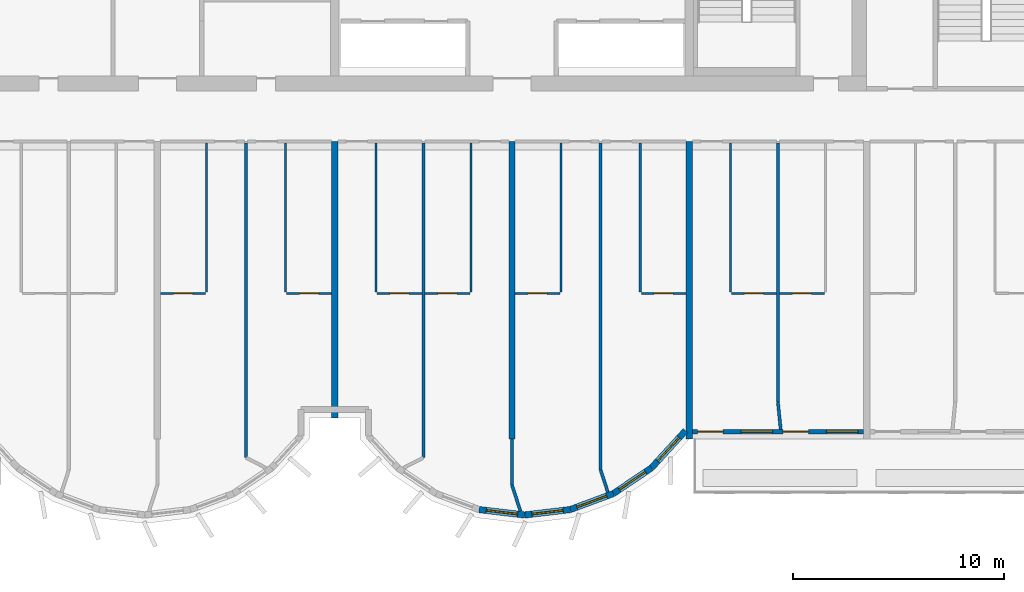
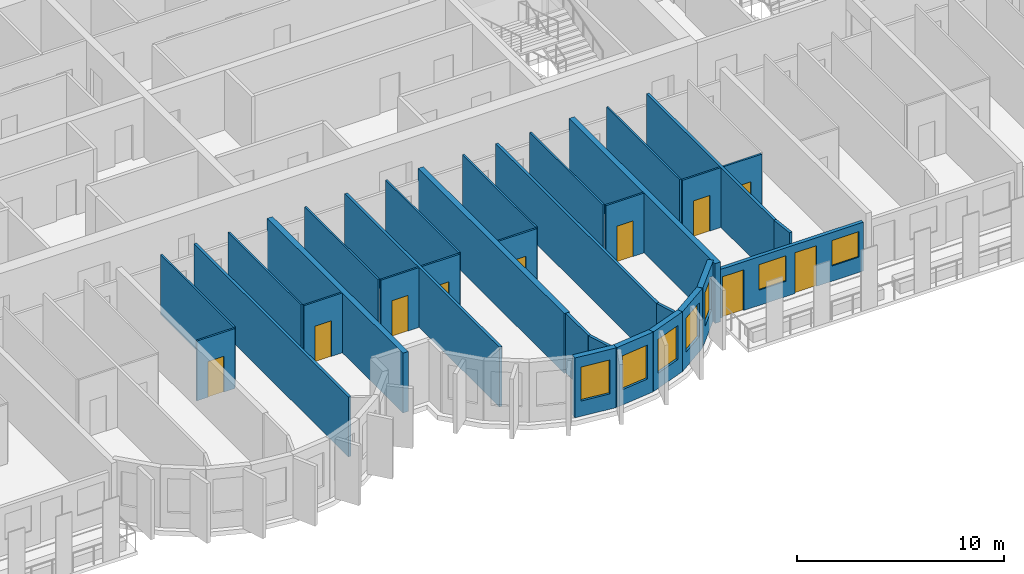
# One storey, part 5 of 13: 32 walls, 10 doors, 7 windows, 17 openings.
"""IFC4 building model written with IfcOpenShell, lengths in metres."""

from ifc_helpers import new_model, si_unit, direction, frame, frame_2d, origin, place, context, subcontext, project, spatial, rectangle, extrude, source, transform, mapped, material, layer, layer_set, type_object, element, fill, save


model = new_model("IFC4")

# Units and contexts
model_context = context("Model", 3, precision=1e-05, world=origin(), true_north=direction((0.0, 1.0)))
body_context = subcontext(model_context, "Body", "Model", "MODEL_VIEW")
ifc_project = project(units=[si_unit("LENGTHUNIT", "METRE"), si_unit("AREAUNIT", "SQUARE_METRE"), si_unit("VOLUMEUNIT", "CUBIC_METRE"), si_unit("PLANEANGLEUNIT", "RADIAN"), si_unit("MASSUNIT", "GRAM", prefix="KILO")], contexts=[model_context])

# Site, building, storey
site_placement = place(None, origin())
site = spatial("IfcSite", under=ifc_project, at=site_placement, CompositionType="ELEMENT")
building_placement = place(site_placement, origin())
building = spatial("IfcBuilding", under=site, at=building_placement, Name="Vanashikhar Sky Hotel", CompositionType="ELEMENT")
storey_placement = place(building_placement, frame((0.0, 0.0, 182.0)))
storey = spatial("IfcBuildingStorey", under=building, at=storey_placement, Name="L44", CompositionType="ELEMENT", Elevation=182.0)

# Walls
ifc_material_1 = material(Name="Concrete M60", Category="concrete")
ifc_layer_1 = layer(ifc_material_1, 0.300048828125)
ifc_layer_set_1 = layer_set([ifc_layer_1], Name="RC shear wall 300 Concrete M60")
wall_type_1 = type_object("IfcWallType", Name="RC shear wall 300 Concrete M60", PredefinedType="SHEAR", material=ifc_layer_set_1)
shared_shape_1 = source(origin(), body_context, "Body", "SweptSolid", [
    extrude(rectangle(XDim=14.10009765625, YDim=0.300048828125, at=frame_2d((7.050048828125, 0.0))), origin(), (0.0, 0.0, 1.0), 3.52001953125),
])
for number, where, z_axis, x_axis, name in (
    (1, (58.800048828125, 5.5, 0.0), (0.0, 0.0, 1.0), (0.0, 1.0, 0.0), "CW-L44-XW08-1"),
    (2, (67.199951171875, 5.5, 0.0), (0.0, 0.0, 1.0), (0.0, 1.0, 0.0), "CW-L44-XW09-1"),
):
    element("IfcWall", number, at=place(storey_placement, frame(where, z_axis=z_axis, x_axis=x_axis)), inside=storey, type_object=wall_type_1, Name=name, PredefinedType="SHEAR", context=body_context, shape_type="MappedRepresentation", body=[
        mapped(shared_shape_1, transform((0.0, 0.0, 0.0), scale=1.0)),
    ])
shared_shape_2 = source(origin(), body_context, "Body", "SweptSolid", [
    extrude(rectangle(XDim=13.10009765625, YDim=0.300048828125, at=frame_2d((6.550048828125, 0.0))), origin(), (0.0, 0.0, 1.0), 3.52001953125),
])
wall_1_placement = place(storey_placement, frame((50.39990234375, 6.5, 0.0), z_axis=(0.0, 0.0, 1.0), x_axis=(0.0, 1.0, 0.0)))
element("IfcWall", 3, at=wall_1_placement, inside=storey, type_object=wall_type_1, Name="CW-L44-XW07-1", PredefinedType="SHEAR", context=body_context, shape_type="MappedRepresentation", body=[
    mapped(shared_shape_2, transform((0.0, 0.0, 0.0), scale=1.0)),
])

# Wall, opening, window
ifc_material_2 = material(Name="Concrete M50", Category="concrete")
ifc_layer_2 = layer(ifc_material_2, 0.300048828125)
ifc_layer_set_2 = layer_set([ifc_layer_2], Name="Lobe wall 300")
wall_type_2 = type_object("IfcWallType", Name="Lobe wall 300", PredefinedType="SOLIDWALL", material=ifc_layer_set_2)
shared_shape_3 = source(origin(), body_context, "Body", "SweptSolid", [
    extrude(rectangle(XDim=2.398193359375, YDim=0.300048828125, at=frame_2d((1.19921875, 0.0))), origin(), (0.0, 0.0, 1.0), 3.52001953125),
])
wall_2_placement = place(storey_placement, frame((65.404296875, 4.13134765625, 0.0), z_axis=(0.0, 0.0, 1.0), x_axis=(0.675374189419, 0.737475222815, 0.0)))
wall_2 = element("IfcWall", 4, at=wall_2_placement, inside=storey, type_object=wall_type_2, Name="Lobe wall", PredefinedType="SOLIDWALL", context=body_context, shape_type="MappedRepresentation", body=[
    mapped(shared_shape_3, transform((0.0, 0.0, 0.0), scale=1.0)),
])
shared_shape_4 = source(origin(), body_context, "Body", "SweptSolid", [
    extrude(rectangle(XDim=1.5, YDim=2.0, at=frame_2d((0.75, 1.0))), frame((0.0, 0.16015625, 0.0), z_axis=(0.0, -1.0, 0.0), x_axis=(1.0, 0.0, 0.0)), (0.0, 0.0, 1.0), 0.320068359375),
])
opening_1_placement = place(wall_2_placement, frame((0.44921875, 0.0, 0.89990234375)))
opening_1 = element("IfcOpeningElement", 5, at=opening_1_placement, cuts=wall_2, Name="Opening WN-2", PredefinedType="OPENING", context=body_context, shape_type="MappedRepresentation", body=[
    mapped(shared_shape_4, transform((0.0, 0.0, 0.0), scale=1.0)),
])
ifc_material_3 = material(Name="Glass", Category="glass")
window_type_1 = type_object("IfcWindowType", Name="Lobe window 1500 x 2000", PartitioningType="SINGLE_PANEL", PredefinedType="WINDOW", material=ifc_material_3)
shared_shape_5 = source(origin(), body_context, "Body", "SweptSolid", [
    extrude(rectangle(XDim=1.5, YDim=2.0, at=frame_2d((0.75, 1.0))), frame((0.0, 0.030029296875, 0.0), z_axis=(0.0, -1.0, 0.0), x_axis=(1.0, 0.0, 0.0)), (0.0, 0.0, 1.0), 0.06005859375),
])
window_1_placement = place(opening_1_placement, origin())
window_1 = element("IfcWindow", 6, at=window_1_placement, inside=storey, type_object=window_type_1, Name="Window WN-2", OverallHeight=2.0, OverallWidth=1.5, PartitioningType="SINGLE_PANEL", PredefinedType="WINDOW", context=body_context, shape_type="MappedRepresentation", body=[
    mapped(shared_shape_5, transform((0.0, 0.0, 0.0), scale=1.0)),
])
fill(opening_1, window_1)

shared_shape_6 = source(origin(), body_context, "Body", "SweptSolid", [
    extrude(rectangle(XDim=2.17578125, YDim=0.300048828125, at=frame_2d((1.087890625, 0.0))), origin(), (0.0, 0.0, 1.0), 3.52001953125),
])
wall_3_placement = place(storey_placement, frame((63.59912109375, 2.91650390625, 0.0), z_axis=(0.0, 0.0, 1.0), x_axis=(0.829625727223, 0.558319937607, 0.0)))
wall_3 = element("IfcWall", 7, at=wall_3_placement, inside=storey, type_object=wall_type_2, Name="Lobe wall", PredefinedType="SOLIDWALL", context=body_context, shape_type="MappedRepresentation", body=[
    mapped(shared_shape_6, transform((0.0, 0.0, 0.0), scale=1.0)),
])
opening_2_placement = place(wall_3_placement, frame((0.337890625, 0.0, 0.89990234375)))
opening_2 = element("IfcOpeningElement", 8, at=opening_2_placement, cuts=wall_3, Name="Opening WN-2", PredefinedType="OPENING", context=body_context, shape_type="MappedRepresentation", body=[
    mapped(shared_shape_4, transform((0.0, 0.0, 0.0), scale=1.0)),
])
window_2_placement = place(opening_2_placement, origin())
window_2 = element("IfcWindow", 9, at=window_2_placement, inside=storey, type_object=window_type_1, Name="Window WN-2", OverallHeight=2.0, OverallWidth=1.5, PartitioningType="SINGLE_PANEL", PredefinedType="WINDOW", context=body_context, shape_type="MappedRepresentation", body=[
    mapped(shared_shape_5, transform((0.0, 0.0, 0.0), scale=1.0)),
])
fill(opening_2, window_2)

shared_shape_7 = source(origin(), body_context, "Body", "SweptSolid", [
    extrude(rectangle(XDim=2.174560546875, YDim=0.300048828125, at=frame_2d((1.08740234375, 0.0))), origin(), (0.0, 0.0, 1.0), 3.52001953125),
])
wall_4_placement = place(storey_placement, frame((57.240478515625, 2.15966796875, 0.0), z_axis=(0.0, 0.0, 1.0), x_axis=(0.993001132889, -0.118104826659, 0.0)))
wall_4 = element("IfcWall", 10, at=wall_4_placement, inside=storey, type_object=wall_type_2, Name="Lobe wall", PredefinedType="SOLIDWALL", context=body_context, shape_type="MappedRepresentation", body=[
    mapped(shared_shape_7, transform((0.0, 0.0, 0.0), scale=1.0)),
])
opening_3_placement = place(wall_4_placement, frame((0.33740234375, 0.0, 0.89990234375)))
opening_3 = element("IfcOpeningElement", 11, at=opening_3_placement, cuts=wall_4, Name="Opening WN-2", PredefinedType="OPENING", context=body_context, shape_type="MappedRepresentation", body=[
    mapped(shared_shape_4, transform((0.0, 0.0, 0.0), scale=1.0)),
])
window_3_placement = place(opening_3_placement, origin())
window_3 = element("IfcWindow", 12, at=window_3_placement, inside=storey, type_object=window_type_1, Name="Window WN-2", OverallHeight=2.0, OverallWidth=1.5, PartitioningType="SINGLE_PANEL", PredefinedType="WINDOW", context=body_context, shape_type="MappedRepresentation", body=[
    mapped(shared_shape_5, transform((0.0, 0.0, 0.0), scale=1.0)),
])
fill(opening_3, window_3)

shared_shape_8 = source(origin(), body_context, "Body", "SweptSolid", [
    extrude(rectangle(XDim=2.1748046875, YDim=0.300048828125, at=frame_2d((1.08740234375, 0.0))), origin(), (0.0, 0.0, 1.0), 3.52001953125),
])
wall_5_placement = place(storey_placement, frame((59.39990234375, 1.90283203125, 0.0), z_axis=(0.0, 0.0, 1.0), x_axis=(0.993002698611, 0.118091661648, 0.0)))
wall_5 = element("IfcWall", 13, at=wall_5_placement, inside=storey, type_object=wall_type_2, Name="Lobe wall", PredefinedType="SOLIDWALL", context=body_context, shape_type="MappedRepresentation", body=[
    mapped(shared_shape_8, transform((0.0, 0.0, 0.0), scale=1.0)),
])
opening_4_placement = place(wall_5_placement, frame((0.33740234375, 0.0, 0.89990234375)))
opening_4 = element("IfcOpeningElement", 14, at=opening_4_placement, cuts=wall_5, Name="Opening WN-2", PredefinedType="OPENING", context=body_context, shape_type="MappedRepresentation", body=[
    mapped(shared_shape_4, transform((0.0, 0.0, 0.0), scale=1.0)),
])
window_4_placement = place(opening_4_placement, origin())
window_4 = element("IfcWindow", 15, at=window_4_placement, inside=storey, type_object=window_type_1, Name="Window WN-2", OverallHeight=2.0, OverallWidth=1.5, PartitioningType="SINGLE_PANEL", PredefinedType="WINDOW", context=body_context, shape_type="MappedRepresentation", body=[
    mapped(shared_shape_5, transform((0.0, 0.0, 0.0), scale=1.0)),
])
fill(opening_4, window_4)

shared_shape_9 = source(origin(), body_context, "Body", "SweptSolid", [
    extrude(rectangle(XDim=2.175537109375, YDim=0.300048828125, at=frame_2d((1.087890625, 0.0))), origin(), (0.0, 0.0, 1.0), 3.52001953125),
])
wall_6_placement = place(storey_placement, frame((61.5595703125, 2.15966796875, 0.0), z_axis=(0.0, 0.0, 1.0), x_axis=(0.937531979054, 0.347899106424, 0.0)))
wall_6 = element("IfcWall", 16, at=wall_6_placement, inside=storey, type_object=wall_type_2, Name="Lobe wall", PredefinedType="SOLIDWALL", context=body_context, shape_type="MappedRepresentation", body=[
    mapped(shared_shape_9, transform((0.0, 0.0, 0.0), scale=1.0)),
])
opening_5_placement = place(wall_6_placement, frame((0.337890625, 0.0, 0.89990234375)))
opening_5 = element("IfcOpeningElement", 17, at=opening_5_placement, cuts=wall_6, Name="Opening WN-2", PredefinedType="OPENING", context=body_context, shape_type="MappedRepresentation", body=[
    mapped(shared_shape_4, transform((0.0, 0.0, 0.0), scale=1.0)),
])
window_5_placement = place(opening_5_placement, origin())
window_5 = element("IfcWindow", 18, at=window_5_placement, inside=storey, type_object=window_type_1, Name="Window WN-2", OverallHeight=2.0, OverallWidth=1.5, PartitioningType="SINGLE_PANEL", PredefinedType="WINDOW", context=body_context, shape_type="MappedRepresentation", body=[
    mapped(shared_shape_5, transform((0.0, 0.0, 0.0), scale=1.0)),
])
fill(opening_5, window_5)

# Wall, openings, windows, doors
ifc_layer_3 = layer(ifc_material_2, 0.199951171875)
ifc_layer_set_3 = layer_set([ifc_layer_3], Name="Front window wall 200")
wall_type_3 = type_object("IfcWallType", Name="Front window wall 200", PredefinedType="SOLIDWALL", material=ifc_layer_set_3)
shared_shape_10 = source(origin(), body_context, "Body", "SweptSolid", [
    extrude(rectangle(XDim=8.099853515625, YDim=0.199951171875, at=frame_2d((4.0498046875, 0.0))), origin(), (0.0, 0.0, 1.0), 2.8701171875),
])
wall_7_placement = place(storey_placement, frame((67.35009765625, 5.85009765625, 0.0), z_axis=(0.0, 0.0, 1.0), x_axis=(1.0, 0.0, 0.0)))
wall_7 = element("IfcWall", 19, at=wall_7_placement, inside=storey, type_object=wall_type_3, Name="Front window wall", PredefinedType="SOLIDWALL", context=body_context, shape_type="MappedRepresentation", body=[
    mapped(shared_shape_10, transform((0.0, 0.0, 0.0), scale=1.0)),
])
shared_shape_11 = source(origin(), body_context, "Body", "SweptSolid", [
    extrude(rectangle(XDim=1.199951171875, YDim=2.39990234375, at=frame_2d((0.60009765625, 1.199951171875))), frame((0.0, 0.10986328125, 0.0), z_axis=(0.0, -1.0, 0.0), x_axis=(1.0, 0.0, 0.0)), (0.0, 0.0, 1.0), 0.219970703125),
])
opening_6_placement = place(wall_7_placement, frame((0.25, 0.0, 0.0)))
opening_6 = element("IfcOpeningElement", 20, at=opening_6_placement, cuts=wall_7, Name="Opening BD-06", PredefinedType="OPENING", context=body_context, shape_type="MappedRepresentation", body=[
    mapped(shared_shape_11, transform((0.0, 0.0, 0.0), scale=1.0)),
])
shared_shape_12 = source(origin(), body_context, "Body", "SweptSolid", [
    extrude(rectangle(XDim=1.5, YDim=1.5, at=frame_2d((0.75, 0.75))), frame((0.0, 0.10986328125, 0.0), z_axis=(0.0, -1.0, 0.0), x_axis=(1.0, 0.0, 0.0)), (0.0, 0.0, 1.0), 0.219970703125),
])
opening_7_placement = place(wall_7_placement, frame((2.300048828125, 0.0, 0.89990234375)))
opening_7 = element("IfcOpeningElement", 21, at=opening_7_placement, cuts=wall_7, Name="Opening WN-1", PredefinedType="OPENING", context=body_context, shape_type="MappedRepresentation", body=[
    mapped(shared_shape_12, transform((0.0, 0.0, 0.0), scale=1.0)),
])
opening_8_placement = place(wall_7_placement, frame((4.300048828125, 0.0, 0.0)))
opening_8 = element("IfcOpeningElement", 22, at=opening_8_placement, cuts=wall_7, Name="Opening BD-07", PredefinedType="OPENING", context=body_context, shape_type="MappedRepresentation", body=[
    mapped(shared_shape_11, transform((0.0, 0.0, 0.0), scale=1.0)),
])
opening_9_placement = place(wall_7_placement, frame((6.35009765625, 0.0, 0.89990234375)))
opening_9 = element("IfcOpeningElement", 23, at=opening_9_placement, cuts=wall_7, Name="Opening WN-1", PredefinedType="OPENING", context=body_context, shape_type="MappedRepresentation", body=[
    mapped(shared_shape_12, transform((0.0, 0.0, 0.0), scale=1.0)),
])
window_type_2 = type_object("IfcWindowType", Name="Window 1500 x 1500", PartitioningType="SINGLE_PANEL", PredefinedType="WINDOW", material=ifc_material_3)
shared_shape_13 = source(origin(), body_context, "Body", "SweptSolid", [
    extrude(rectangle(XDim=1.5, YDim=1.5, at=frame_2d((0.75, 0.75))), frame((0.0, 0.030029296875, 0.0), z_axis=(0.0, -1.0, 0.0), x_axis=(1.0, 0.0, 0.0)), (0.0, 0.0, 1.0), 0.06005859375),
])
window_6_placement = place(opening_7_placement, origin())
window_6 = element("IfcWindow", 24, at=window_6_placement, inside=storey, type_object=window_type_2, Name="Window WN-1", OverallHeight=1.5, OverallWidth=1.5, PartitioningType="SINGLE_PANEL", PredefinedType="WINDOW", context=body_context, shape_type="MappedRepresentation", body=[
    mapped(shared_shape_13, transform((0.0, 0.0, 0.0), scale=1.0)),
])
fill(opening_7, window_6)
window_7_placement = place(opening_9_placement, origin())
window_7 = element("IfcWindow", 25, at=window_7_placement, inside=storey, type_object=window_type_2, Name="Window WN-1", OverallHeight=1.5, OverallWidth=1.5, PartitioningType="SINGLE_PANEL", PredefinedType="WINDOW", context=body_context, shape_type="MappedRepresentation", body=[
    mapped(shared_shape_13, transform((0.0, 0.0, 0.0), scale=1.0)),
])
fill(opening_9, window_7)
ifc_material_4 = material(Name="Aluminium", Category="aluminium")
door_type_1 = type_object("IfcDoorType", Name="Balcony sliding door 1200 x 2400", OperationType="NOTDEFINED", PredefinedType="DOOR", material=ifc_material_4)
shared_shape_14 = source(origin(), body_context, "Body", "SweptSolid", [
    extrude(rectangle(XDim=1.199951171875, YDim=2.39990234375, at=frame_2d((0.60009765625, 1.199951171875))), frame((0.0, 0.02490234375, 0.0), z_axis=(0.0, -1.0, 0.0), x_axis=(1.0, 0.0, 0.0)), (0.0, 0.0, 1.0), 0.050048828125),
])
door_1_placement = place(opening_6_placement, origin())
door_1 = element("IfcDoor", 26, at=door_1_placement, inside=storey, type_object=door_type_1, Name="Balcony sliding door", OperationType="SLIDING_TO_RIGHT", OverallHeight=2.39990234375, OverallWidth=1.199951171875, PredefinedType="DOOR", context=body_context, shape_type="MappedRepresentation", body=[
    mapped(shared_shape_14, transform((0.0, 0.0, 0.0), scale=1.0)),
])
fill(opening_6, door_1)
door_2_placement = place(opening_8_placement, origin())
door_2 = element("IfcDoor", 27, at=door_2_placement, inside=storey, type_object=door_type_1, Name="Balcony sliding door", OperationType="SLIDING_TO_LEFT", OverallHeight=2.39990234375, OverallWidth=1.199951171875, PredefinedType="DOOR", context=body_context, shape_type="MappedRepresentation", body=[
    mapped(shared_shape_14, transform((0.0, 0.0, 0.0), scale=1.0)),
])
fill(opening_8, door_2)

# Walls
ifc_material_5 = material(Name="Gypsum plasterboard partition")
ifc_layer_4 = layer(ifc_material_5, 0.10009765625)
ifc_layer_set_4 = layer_set([ifc_layer_4], Name="Wet room partition 100")
wall_type_4 = type_object("IfcWallType", Name="Wet room partition 100", PredefinedType="PARTITIONING", material=ifc_layer_set_4)
shared_shape_15 = source(origin(), body_context, "Body", "SweptSolid", [
    extrude(rectangle(XDim=7.0498046875, YDim=0.10009765625, at=frame_2d((3.52490234375, 0.0))), origin(), (0.0, 0.0, 1.0), 3.52001953125),
])
for number, where, z_axis, x_axis, name in (
    (28, (44.324951171875, 12.47509765625, 0.0), (0.0, 0.0, 1.0), (0.0, 1.0, 0.0), "W-L44-PW027"),
    (29, (48.074951171875, 12.47509765625, 0.0), (0.0, 0.0, 1.0), (0.0, 1.0, 0.0), "W-L44-PW030"),
    (30, (52.35009765625, 12.47509765625, 0.0), (0.0, 0.0, 1.0), (0.0, 1.0, 0.0), "W-L44-PW034"),
    (31, (56.85009765625, 12.47509765625, 0.0), (0.0, 0.0, 1.0), (0.0, 1.0, 0.0), "W-L44-PW037"),
    (32, (61.125, 12.47509765625, 0.0), (0.0, 0.0, 1.0), (0.0, 1.0, 0.0), "W-L44-PW041"),
    (33, (64.875, 12.47509765625, 0.0), (0.0, 0.0, 1.0), (0.0, 1.0, 0.0), "W-L44-PW044"),
    (34, (69.14990234375, 12.47509765625, 0.0), (0.0, 0.0, 1.0), (0.0, 1.0, 0.0), "W-L44-PW048"),
):
    element("IfcWall", number, at=place(storey_placement, frame(where, z_axis=z_axis, x_axis=x_axis)), inside=storey, type_object=wall_type_4, Name=name, PredefinedType="PARTITIONING", context=body_context, shape_type="MappedRepresentation", body=[
        mapped(shared_shape_15, transform((0.0, 0.0, 0.0), scale=1.0)),
    ])
ifc_layer_5 = layer(ifc_material_5, 0.14990234375)
ifc_layer_set_5 = layer_set([ifc_layer_5], Name="Corridor and demising partition 150")
wall_type_5 = type_object("IfcWallType", Name="Corridor and demising partition 150", PredefinedType="PARTITIONING", material=ifc_layer_set_5)
shared_shape_16 = source(origin(), body_context, "Body", "SweptSolid", [
    extrude(rectangle(XDim=2.177978515625, YDim=0.14990234375, at=frame_2d((1.0888671875, 0.0))), origin(), (0.0, 0.0, 1.0), 3.52001953125),
])
wall_8_placement = place(storey_placement, frame((58.800048828125, 3.322021484375, 0.0), z_axis=(0.0, 0.0, 1.0), x_axis=(0.0, 1.0, 0.0)))
element("IfcWall", 35, at=wall_8_placement, inside=storey, type_object=wall_type_5, Name="W-L44-PW070", PredefinedType="PARTITIONING", context=body_context, shape_type="MappedRepresentation", body=[
    mapped(shared_shape_16, transform((0.0, 0.0, 0.0), scale=1.0)),
])
shared_shape_17 = source(origin(), body_context, "Body", "SweptSolid", [
    extrude(rectangle(XDim=1.100830078125, YDim=0.14990234375, at=frame_2d((0.55029296875, 0.0))), origin(), (0.0, 0.0, 1.0), 3.52001953125),
])
wall_9_placement = place(storey_placement, frame((63.343017578125, 2.98095703125, 0.0), z_axis=(0.0, 0.0, 1.0), x_axis=(-0.311567081539, 0.950224159712, 0.0)))
element("IfcWall", 36, at=wall_9_placement, inside=storey, type_object=wall_type_5, Name="W-L44-PW047B0", PredefinedType="PARTITIONING", context=body_context, shape_type="MappedRepresentation", body=[
    mapped(shared_shape_17, transform((0.0, 0.0, 0.0), scale=1.0)),
])
shared_shape_18 = source(origin(), body_context, "Body", "SweptSolid", [
    extrude(rectangle(XDim=1.308349609375, YDim=0.14990234375, at=frame_2d((0.654296875, 0.0))), origin(), (0.0, 0.0, 1.0), 3.52001953125),
])
wall_10_placement = place(storey_placement, frame((59.201904296875, 2.076904296875, 0.0), z_axis=(0.0, 0.0, 1.0), x_axis=(-0.307144529633, 0.951662880392, 0.0)))
element("IfcWall", 37, at=wall_10_placement, inside=storey, type_object=wall_type_5, Name="W-L44-PW070B0", PredefinedType="PARTITIONING", context=body_context, shape_type="MappedRepresentation", body=[
    mapped(shared_shape_18, transform((0.0, 0.0, 0.0), scale=1.0)),
])
shared_shape_19 = source(origin(), body_context, "Body", "SweptSolid", [
    extrude(rectangle(XDim=12.27490234375, YDim=0.14990234375, at=frame_2d((6.137451171875, 0.0))), origin(), (0.0, 0.0, 1.0), 3.52001953125),
])
wall_11_placement = place(storey_placement, frame((71.39990234375, 7.25, 0.0), z_axis=(0.0, 0.0, 1.0), x_axis=(0.0, 1.0, 0.0)))
element("IfcWall", 38, at=wall_11_placement, inside=storey, type_object=wall_type_5, Name="W-L44-PW054", PredefinedType="PARTITIONING", context=body_context, shape_type="MappedRepresentation", body=[
    mapped(shared_shape_19, transform((0.0, 0.0, 0.0), scale=1.0)),
])
shared_shape_20 = source(origin(), body_context, "Body", "SweptSolid", [
    extrude(rectangle(XDim=15.497802734375, YDim=0.14990234375, at=frame_2d((7.7490234375, 0.0))), origin(), (0.0, 0.0, 1.0), 3.52001953125),
])
wall_12_placement = place(storey_placement, frame((63.0, 4.027099609375, 0.0), z_axis=(0.0, 0.0, 1.0), x_axis=(0.0, 1.0, 0.0)))
element("IfcWall", 39, at=wall_12_placement, inside=storey, type_object=wall_type_5, Name="W-L44-PW047", PredefinedType="PARTITIONING", context=body_context, shape_type="MappedRepresentation", body=[
    mapped(shared_shape_20, transform((0.0, 0.0, 0.0), scale=1.0)),
])
shared_shape_21 = source(origin(), body_context, "Body", "SweptSolid", [
    extrude(rectangle(XDim=14.906005859375, YDim=0.14990234375, at=frame_2d((7.453125, 0.0))), origin(), (0.0, 0.0, 1.0), 3.52001953125),
])
for number, where, z_axis, x_axis, name in (
    (40, (46.199951171875, 4.618896484375, 0.0), (0.0, 0.0, 1.0), (0.0, 1.0, 0.0), "W-L44-PW033"),
    (41, (54.60009765625, 4.618896484375, 0.0), (0.0, 0.0, 1.0), (0.0, 1.0, 0.0), "W-L44-PW040"),
):
    element("IfcWall", number, at=place(storey_placement, frame(where, z_axis=z_axis, x_axis=x_axis)), inside=storey, type_object=wall_type_5, Name=name, PredefinedType="PARTITIONING", context=body_context, shape_type="MappedRepresentation", body=[
        mapped(shared_shape_21, transform((0.0, 0.0, 0.0), scale=1.0)),
    ])
shared_shape_22 = source(origin(), body_context, "Body", "SweptSolid", [
    extrude(rectangle(XDim=1.306640625, YDim=0.14990234375, at=frame_2d((0.6533203125, 0.0))), origin(), (0.0, 0.0, 1.0), 3.52001953125),
])
wall_13_placement = place(storey_placement, frame((71.530029296875, 5.949951171875, 0.0), z_axis=(0.0, 0.0, 1.0), x_axis=(-0.099596223396, 0.99502793543, 0.0)))
element("IfcWall", 42, at=wall_13_placement, inside=storey, type_object=wall_type_5, Name="W-L44-PW054B0", PredefinedType="PARTITIONING", context=body_context, shape_type="MappedRepresentation", body=[
    mapped(shared_shape_22, transform((0.0, 0.0, 0.0), scale=1.0)),
])

# Wall, opening, door
shared_shape_23 = source(origin(), body_context, "Body", "SweptSolid", [
    extrude(rectangle(XDim=2.125, YDim=0.10009765625, at=frame_2d((1.0625, 0.0))), origin(), (0.0, 0.0, 1.0), 3.52001953125),
])
wall_14_placement = place(storey_placement, frame((42.14990234375, 12.39990234375, 0.0), z_axis=(0.0, 0.0, 1.0), x_axis=(1.0, 0.0, 0.0)))
wall_14 = element("IfcWall", 43, at=wall_14_placement, inside=storey, type_object=wall_type_4, Name="W-L44-PW028", PredefinedType="PARTITIONING", context=body_context, shape_type="MappedRepresentation", body=[
    mapped(shared_shape_23, transform((0.0, 0.0, 0.0), scale=1.0)),
])
shared_shape_24 = source(origin(), body_context, "Body", "SweptSolid", [
    extrude(rectangle(XDim=0.89990234375, YDim=2.10009765625, at=frame_2d((0.449951171875, 1.050048828125))), frame((0.0, 0.06005859375, 0.0), z_axis=(0.0, -1.0, 0.0), x_axis=(1.0, 0.0, 0.0)), (0.0, 0.0, 1.0), 0.1201171875),
])
opening_10_placement = place(wall_14_placement, frame((0.613037109375, 0.0, 0.0)))
opening_10 = element("IfcOpeningElement", 44, at=opening_10_placement, cuts=wall_14, Name="Opening D-02", PredefinedType="OPENING", context=body_context, shape_type="MappedRepresentation", body=[
    mapped(shared_shape_24, transform((0.0, 0.0, 0.0), scale=1.0)),
])
ifc_material_6 = material(Name="Timber door", Category="wood")
door_type_2 = type_object("IfcDoorType", Name="Internal door 900", OperationType="NOTDEFINED", PredefinedType="DOOR", material=ifc_material_6)
shared_shape_25 = source(origin(), body_context, "Body", "SweptSolid", [
    extrude(rectangle(XDim=0.89990234375, YDim=2.10009765625, at=frame_2d((0.449951171875, 1.050048828125))), frame((0.0, 0.02490234375, 0.0), z_axis=(0.0, -1.0, 0.0), x_axis=(1.0, 0.0, 0.0)), (0.0, 0.0, 1.0), 0.050048828125),
])
door_3_placement = place(opening_10_placement, origin())
door_3 = element("IfcDoor", 45, at=door_3_placement, inside=storey, type_object=door_type_2, Name="D-L44-016", OperationType="SINGLE_SWING_RIGHT", OverallHeight=2.10009765625, OverallWidth=0.89990234375, PredefinedType="DOOR", context=body_context, shape_type="MappedRepresentation", body=[
    mapped(shared_shape_25, transform((0.0, 0.0, 0.0), scale=1.0)),
])
fill(opening_10, door_3)

wall_15_placement = place(storey_placement, frame((48.125, 12.39990234375, 0.0), z_axis=(0.0, 0.0, 1.0), x_axis=(1.0, 0.0, 0.0)))
wall_15 = element("IfcWall", 46, at=wall_15_placement, inside=storey, type_object=wall_type_4, Name="W-L44-PW031", PredefinedType="PARTITIONING", context=body_context, shape_type="MappedRepresentation", body=[
    mapped(shared_shape_23, transform((0.0, 0.0, 0.0), scale=1.0)),
])
opening_11_placement = place(wall_15_placement, frame((0.612060546875, 0.0, 0.0)))
opening_11 = element("IfcOpeningElement", 47, at=opening_11_placement, cuts=wall_15, Name="Opening D-02", PredefinedType="OPENING", context=body_context, shape_type="MappedRepresentation", body=[
    mapped(shared_shape_24, transform((0.0, 0.0, 0.0), scale=1.0)),
])
door_4_placement = place(opening_11_placement, origin())
door_4 = element("IfcDoor", 48, at=door_4_placement, inside=storey, type_object=door_type_2, Name="D-L44-018", OperationType="SINGLE_SWING_LEFT", OverallHeight=2.10009765625, OverallWidth=0.89990234375, PredefinedType="DOOR", context=body_context, shape_type="MappedRepresentation", body=[
    mapped(shared_shape_25, transform((0.0, 0.0, 0.0), scale=1.0)),
])
fill(opening_11, door_4)

wall_16_placement = place(storey_placement, frame((52.39990234375, 12.39990234375, 0.0), z_axis=(0.0, 0.0, 1.0), x_axis=(1.0, 0.0, 0.0)))
wall_16 = element("IfcWall", 49, at=wall_16_placement, inside=storey, type_object=wall_type_4, Name="W-L44-PW035", PredefinedType="PARTITIONING", context=body_context, shape_type="MappedRepresentation", body=[
    mapped(shared_shape_23, transform((0.0, 0.0, 0.0), scale=1.0)),
])
opening_12_placement = place(wall_16_placement, frame((0.612060546875, 0.0, 0.0)))
opening_12 = element("IfcOpeningElement", 50, at=opening_12_placement, cuts=wall_16, Name="Opening D-02", PredefinedType="OPENING", context=body_context, shape_type="MappedRepresentation", body=[
    mapped(shared_shape_24, transform((0.0, 0.0, 0.0), scale=1.0)),
])
door_5_placement = place(opening_12_placement, origin())
door_5 = element("IfcDoor", 51, at=door_5_placement, inside=storey, type_object=door_type_2, Name="D-L44-020", OperationType="SINGLE_SWING_LEFT", OverallHeight=2.10009765625, OverallWidth=0.89990234375, PredefinedType="DOOR", context=body_context, shape_type="MappedRepresentation", body=[
    mapped(shared_shape_25, transform((0.0, 0.0, 0.0), scale=1.0)),
])
fill(opening_12, door_5)

wall_17_placement = place(storey_placement, frame((54.675048828125, 12.39990234375, 0.0), z_axis=(0.0, 0.0, 1.0), x_axis=(1.0, 0.0, 0.0)))
wall_17 = element("IfcWall", 52, at=wall_17_placement, inside=storey, type_object=wall_type_4, Name="W-L44-PW038", PredefinedType="PARTITIONING", context=body_context, shape_type="MappedRepresentation", body=[
    mapped(shared_shape_23, transform((0.0, 0.0, 0.0), scale=1.0)),
])
opening_13_placement = place(wall_17_placement, frame((0.613037109375, 0.0, 0.0)))
opening_13 = element("IfcOpeningElement", 53, at=opening_13_placement, cuts=wall_17, Name="Opening D-02", PredefinedType="OPENING", context=body_context, shape_type="MappedRepresentation", body=[
    mapped(shared_shape_24, transform((0.0, 0.0, 0.0), scale=1.0)),
])
door_6_placement = place(opening_13_placement, origin())
door_6 = element("IfcDoor", 54, at=door_6_placement, inside=storey, type_object=door_type_2, Name="D-L44-022", OperationType="SINGLE_SWING_RIGHT", OverallHeight=2.10009765625, OverallWidth=0.89990234375, PredefinedType="DOOR", context=body_context, shape_type="MappedRepresentation", body=[
    mapped(shared_shape_25, transform((0.0, 0.0, 0.0), scale=1.0)),
])
fill(opening_13, door_6)

wall_18_placement = place(storey_placement, frame((58.949951171875, 12.39990234375, 0.0), z_axis=(0.0, 0.0, 1.0), x_axis=(1.0, 0.0, 0.0)))
wall_18 = element("IfcWall", 55, at=wall_18_placement, inside=storey, type_object=wall_type_4, Name="W-L44-PW042", PredefinedType="PARTITIONING", context=body_context, shape_type="MappedRepresentation", body=[
    mapped(shared_shape_23, transform((0.0, 0.0, 0.0), scale=1.0)),
])
opening_14_placement = place(wall_18_placement, frame((0.612060546875, 0.0, 0.0)))
opening_14 = element("IfcOpeningElement", 56, at=opening_14_placement, cuts=wall_18, Name="Opening D-02", PredefinedType="OPENING", context=body_context, shape_type="MappedRepresentation", body=[
    mapped(shared_shape_24, transform((0.0, 0.0, 0.0), scale=1.0)),
])
door_7_placement = place(opening_14_placement, origin())
door_7 = element("IfcDoor", 57, at=door_7_placement, inside=storey, type_object=door_type_2, Name="D-L44-024", OperationType="SINGLE_SWING_RIGHT", OverallHeight=2.10009765625, OverallWidth=0.89990234375, PredefinedType="DOOR", context=body_context, shape_type="MappedRepresentation", body=[
    mapped(shared_shape_25, transform((0.0, 0.0, 0.0), scale=1.0)),
])
fill(opening_14, door_7)

wall_19_placement = place(storey_placement, frame((64.925048828125, 12.39990234375, 0.0), z_axis=(0.0, 0.0, 1.0), x_axis=(1.0, 0.0, 0.0)))
wall_19 = element("IfcWall", 58, at=wall_19_placement, inside=storey, type_object=wall_type_4, Name="W-L44-PW045", PredefinedType="PARTITIONING", context=body_context, shape_type="MappedRepresentation", body=[
    mapped(shared_shape_23, transform((0.0, 0.0, 0.0), scale=1.0)),
])
opening_15_placement = place(wall_19_placement, frame((0.612060546875, 0.0, 0.0)))
opening_15 = element("IfcOpeningElement", 59, at=opening_15_placement, cuts=wall_19, Name="Opening D-02", PredefinedType="OPENING", context=body_context, shape_type="MappedRepresentation", body=[
    mapped(shared_shape_24, transform((0.0, 0.0, 0.0), scale=1.0)),
])
door_8_placement = place(opening_15_placement, origin())
door_8 = element("IfcDoor", 60, at=door_8_placement, inside=storey, type_object=door_type_2, Name="D-L44-026", OperationType="SINGLE_SWING_LEFT", OverallHeight=2.10009765625, OverallWidth=0.89990234375, PredefinedType="DOOR", context=body_context, shape_type="MappedRepresentation", body=[
    mapped(shared_shape_25, transform((0.0, 0.0, 0.0), scale=1.0)),
])
fill(opening_15, door_8)

wall_20_placement = place(storey_placement, frame((69.199951171875, 12.39990234375, 0.0), z_axis=(0.0, 0.0, 1.0), x_axis=(1.0, 0.0, 0.0)))
wall_20 = element("IfcWall", 61, at=wall_20_placement, inside=storey, type_object=wall_type_4, Name="W-L44-PW049", PredefinedType="PARTITIONING", context=body_context, shape_type="MappedRepresentation", body=[
    mapped(shared_shape_23, transform((0.0, 0.0, 0.0), scale=1.0)),
])
opening_16_placement = place(wall_20_placement, frame((0.612060546875, 0.0, 0.0)))
opening_16 = element("IfcOpeningElement", 62, at=opening_16_placement, cuts=wall_20, Name="Opening D-02", PredefinedType="OPENING", context=body_context, shape_type="MappedRepresentation", body=[
    mapped(shared_shape_24, transform((0.0, 0.0, 0.0), scale=1.0)),
])
door_9_placement = place(opening_16_placement, origin())
door_9 = element("IfcDoor", 63, at=door_9_placement, inside=storey, type_object=door_type_2, Name="D-L44-028", OperationType="SINGLE_SWING_LEFT", OverallHeight=2.10009765625, OverallWidth=0.89990234375, PredefinedType="DOOR", context=body_context, shape_type="MappedRepresentation", body=[
    mapped(shared_shape_25, transform((0.0, 0.0, 0.0), scale=1.0)),
])
fill(opening_16, door_9)

wall_21_placement = place(storey_placement, frame((71.47509765625, 12.39990234375, 0.0), z_axis=(0.0, 0.0, 1.0), x_axis=(1.0, 0.0, 0.0)))
wall_21 = element("IfcWall", 64, at=wall_21_placement, inside=storey, type_object=wall_type_4, Name="W-L44-PW052", PredefinedType="PARTITIONING", context=body_context, shape_type="MappedRepresentation", body=[
    mapped(shared_shape_23, transform((0.0, 0.0, 0.0), scale=1.0)),
])
opening_17_placement = place(wall_21_placement, frame((0.613037109375, 0.0, 0.0)))
opening_17 = element("IfcOpeningElement", 65, at=opening_17_placement, cuts=wall_21, Name="Opening D-02", PredefinedType="OPENING", context=body_context, shape_type="MappedRepresentation", body=[
    mapped(shared_shape_24, transform((0.0, 0.0, 0.0), scale=1.0)),
])
door_10_placement = place(opening_17_placement, origin())
door_10 = element("IfcDoor", 66, at=door_10_placement, inside=storey, type_object=door_type_2, Name="D-L44-030", OperationType="SINGLE_SWING_RIGHT", OverallHeight=2.10009765625, OverallWidth=0.89990234375, PredefinedType="DOOR", context=body_context, shape_type="MappedRepresentation", body=[
    mapped(shared_shape_25, transform((0.0, 0.0, 0.0), scale=1.0)),
])
fill(opening_17, door_10)

save(model, "model.ifc")
